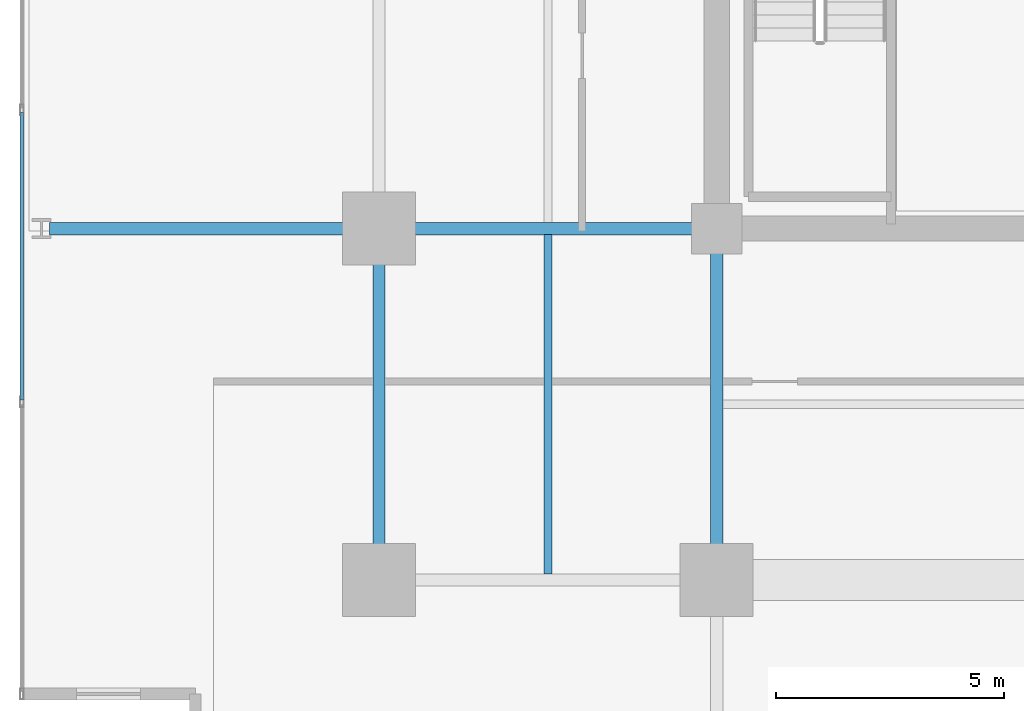
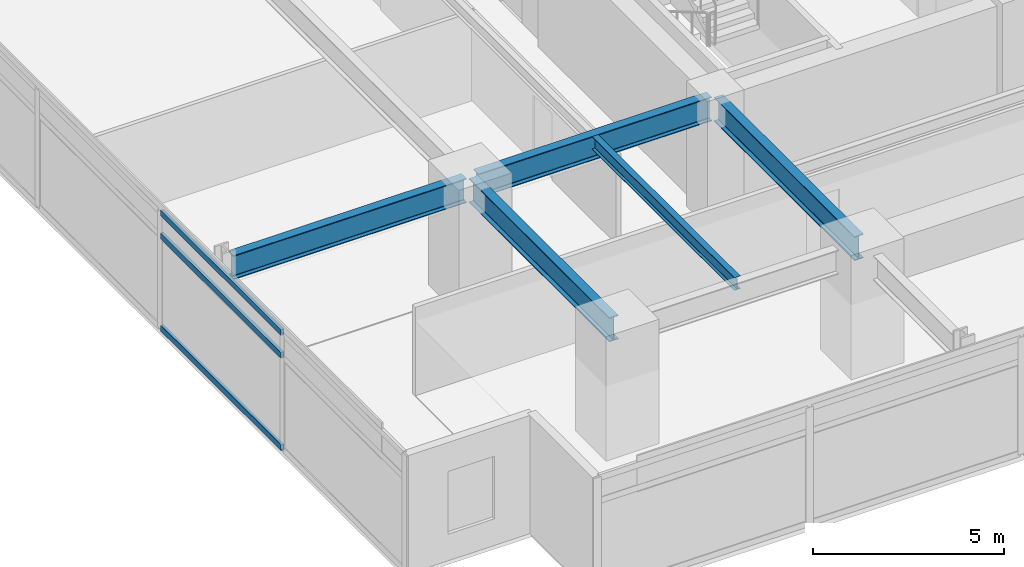
# One storey, part 3 of 20: 5 beams, 3 members, 1 element without a shape of its own.
"""IFC4 building model written with IfcOpenShell, lengths in metres."""

from ifc_helpers import new_model, si_unit, direction, frame, origin, origin_2d, place, context, subcontext, project, spatial, hollow_rectangle, i_section, extrude, material, material_profile, profile_set, type_object, element, aggregate, save


model = new_model("IFC4")

# Units and contexts
model_context = context("Model", 3, precision=1e-05, world=origin(), true_north=direction((0.0, 1.0)))
body_context = subcontext(model_context, "Body", "Model", "MODEL_VIEW")
ifc_project = project(units=[si_unit("LENGTHUNIT", "METRE"), si_unit("AREAUNIT", "SQUARE_METRE"), si_unit("VOLUMEUNIT", "CUBIC_METRE"), si_unit("PLANEANGLEUNIT", "RADIAN"), si_unit("MASSUNIT", "GRAM", prefix="KILO")], contexts=[model_context])

# Site, building, storey
site_placement = place(None, origin())
site = spatial("IfcSite", under=ifc_project, at=site_placement, CompositionType="ELEMENT")
building_placement = place(site_placement, origin())
building = spatial("IfcBuilding", under=site, at=building_placement, Name="Kovane Verandah Tower", CompositionType="ELEMENT")
storey_placement = place(building_placement, frame((0.0, 0.0, 128.39990234375)))
storey = spatial("IfcBuildingStorey", under=building, at=storey_placement, Name="L29", CompositionType="ELEMENT", Elevation=128.39990234375)

# Beams
ifc_material_1 = material(Name="Steel S355", Category="steel")
ifc_material_profile_1 = material_profile(ifc_material_1, i_section(OverallWidth=0.26806640625, OverallDepth=0.769775390625, WebThickness=0.015625, FlangeThickness=0.025390625, FilletRadius=0.0166015625, at=origin_2d()), Name="UB762x267x197")
ifc_profile_set_1 = profile_set([ifc_material_profile_1], Name="Steel S355")
beam_type_1 = type_object("IfcBeamType", Name="BM-UB762x197", PredefinedType="BEAM", material=ifc_profile_set_1)
beam_1_placement = place(storey_placement, frame((21.60009765625, 10.97998046875, 3.39013671875), z_axis=(0.0, 1.0, 0.0), x_axis=(-1.0, 0.0, 0.0)))
element("IfcBeam", 1, at=beam_1_placement, inside=storey, type_object=beam_type_1, Name="L29 Primary Tower Girder G-RW1", PredefinedType="BEAM", context=body_context, shape_type="SweptSolid", body=[
    extrude(i_section(OverallWidth=0.26806640625, OverallDepth=0.769775390625, WebThickness=0.015625, FlangeThickness=0.025390625, FilletRadius=0.0166015625, at=origin_2d()), origin(), (0.0, 0.0, 1.0), 7.340087890625),
])
beam_2_placement = place(storey_placement, frame((28.820068359375, 18.5, 3.39013671875), z_axis=(-1.0, 0.0, 0.0), x_axis=(0.0, -1.0, 0.0)))
element("IfcBeam", 2, at=beam_2_placement, inside=storey, type_object=beam_type_1, Name="L29 Primary Tower Girder G-W1", PredefinedType="BEAM", context=body_context, shape_type="SweptSolid", body=[
    extrude(i_section(OverallWidth=0.26806640625, OverallDepth=0.769775390625, WebThickness=0.015625, FlangeThickness=0.025390625, FilletRadius=0.0166015625, at=origin_2d()), origin(), (0.0, 0.0, 1.0), 7.0400390625),
])
beam_3_placement = place(storey_placement, frame((29.0, 18.320068359375, 3.39013671875), z_axis=(0.0, -1.0, 0.0), x_axis=(1.0, 0.0, 0.0)))
element("IfcBeam", 3, at=beam_3_placement, inside=storey, type_object=beam_type_1, Name="L29 Primary Tower Girder G-S1", PredefinedType="BEAM", context=body_context, shape_type="SweptSolid", body=[
    extrude(i_section(OverallWidth=0.26806640625, OverallDepth=0.769775390625, WebThickness=0.015625, FlangeThickness=0.025390625, FilletRadius=0.0166015625, at=origin_2d()), origin(), (0.0, 0.0, 1.0), 7.340087890625),
])
beam_4_placement = place(storey_placement, frame((21.419921875, 18.5, 3.375244140625), z_axis=(-1.0, 0.0, 0.0), x_axis=(0.0, -1.0, 0.0)))
element("IfcBeam", 4, at=beam_4_placement, inside=storey, type_object=beam_type_1, Name="L29 Primary Tower Girder G-VW1", PredefinedType="BEAM", context=body_context, shape_type="SweptSolid", body=[
    extrude(i_section(OverallWidth=0.26806640625, OverallDepth=0.769775390625, WebThickness=0.015625, FlangeThickness=0.025390625, FilletRadius=0.0166015625, at=origin_2d()), origin(), (0.0, 0.0, 1.0), 7.0400390625),
])

# Curtain wall, members
ifc_material_2 = material(Name="Champagne Anodised Aluminium Frame with Low-E Clear Laminated Glass", Category="aluminium")
curtain_wall_type = type_object("IfcCurtainWallType", Name="CW-SYS-03-MID", PredefinedType="NOTDEFINED", material=ifc_material_2)
curtain_wall_placement = place(storey_placement, origin())
curtain_wall = element("IfcCurtainWall", 5, at=curtain_wall_placement, inside=storey, type_object=curtain_wall_type, Name="L29 W Unitised Curtain Wall", PredefinedType="NOTDEFINED")
ifc_material_3 = material(Name="Champagne Anodised Aluminium 6063-T6", Category="aluminium")
ifc_material_profile_2 = material_profile(ifc_material_3, hollow_rectangle(XDim=0.0849609375, YDim=0.18994140625, WallThickness=0.00390625, at=origin_2d()), Name="AL85x190x4")
ifc_profile_set_2 = profile_set([ifc_material_profile_2], Name="Champagne Anodised Aluminium 6063-T6")
member_type = type_object("IfcMemberType", Name="CW-TRN-85x190", PredefinedType="USERDEFINED", material=ifc_profile_set_2)
member_1_placement = place(storey_placement, frame((13.771240234375, 21.050048828125, 0.050048828125), z_axis=(0.0, -1.0, 0.0), x_axis=(1.0, 0.0, 0.0)))
member_1 = element("IfcMember", 6, at=member_1_placement, type_object=member_type, Name="L29 W Unitised Curtain Wall Transom TB Bay 5", ObjectType="TRANSOM", PredefinedType="USERDEFINED", context=body_context, shape_type="SweptSolid", body=[
    extrude(hollow_rectangle(XDim=0.0849609375, YDim=0.18994140625, WallThickness=0.00390625, at=origin_2d()), origin(), (0.0, 0.0, 1.0), 6.300048828125),
])
member_2_placement = place(storey_placement, frame((13.771240234375, 21.050048828125, 2.9951171875), z_axis=(0.0, -1.0, 0.0), x_axis=(1.0, 0.0, 0.0)))
member_2 = element("IfcMember", 7, at=member_2_placement, type_object=member_type, Name="L29 W Unitised Curtain Wall Transom TM Bay 5", ObjectType="TRANSOM", PredefinedType="USERDEFINED", context=body_context, shape_type="SweptSolid", body=[
    extrude(hollow_rectangle(XDim=0.0849609375, YDim=0.18994140625, WallThickness=0.00390625, at=origin_2d()), origin(), (0.0, 0.0, 1.0), 6.300048828125),
])
member_3_placement = place(storey_placement, frame((13.771240234375, 21.050048828125, 3.72509765625), z_axis=(0.0, -1.0, 0.0), x_axis=(1.0, 0.0, 0.0)))
member_3 = element("IfcMember", 8, at=member_3_placement, type_object=member_type, Name="L29 W Unitised Curtain Wall Transom TT Bay 5", ObjectType="TRANSOM", PredefinedType="USERDEFINED", context=body_context, shape_type="SweptSolid", body=[
    extrude(hollow_rectangle(XDim=0.0849609375, YDim=0.18994140625, WallThickness=0.00390625, at=origin_2d()), origin(), (0.0, 0.0, 1.0), 6.300048828125),
])
aggregate(curtain_wall, [member_1, member_2, member_3])

# Beam
ifc_material_profile_3 = material_profile(ifc_material_1, i_section(OverallWidth=0.179443359375, OverallDepth=0.412841796875, WebThickness=0.009521484375, FlangeThickness=0.01611328125, FilletRadius=0.01025390625, at=origin_2d()), Name="UB406x178x74")
ifc_profile_set_3 = profile_set([ifc_material_profile_3], Name="Steel S355")
beam_type_2 = type_object("IfcBeamType", Name="JST-UB406x74", PredefinedType="JOIST", material=ifc_profile_set_3)
beam_5_placement = place(storey_placement, frame((25.300048828125, 10.931884765625, 3.568603515625), z_axis=(0.0, 1.0, 0.0), x_axis=(-1.0, 0.0, 0.0)))
element("IfcBeam", 9, at=beam_5_placement, inside=storey, type_object=beam_type_2, Name="L29 Secondary Composite Joist J-SW1", PredefinedType="JOIST", context=body_context, shape_type="SweptSolid", body=[
    extrude(i_section(OverallWidth=0.179443359375, OverallDepth=0.412841796875, WebThickness=0.009521484375, FlangeThickness=0.01611328125, FilletRadius=0.01025390625, at=origin_2d()), origin(), (0.0, 0.0, 1.0), 7.43603515625),
])

save(model, "model.ifc")
